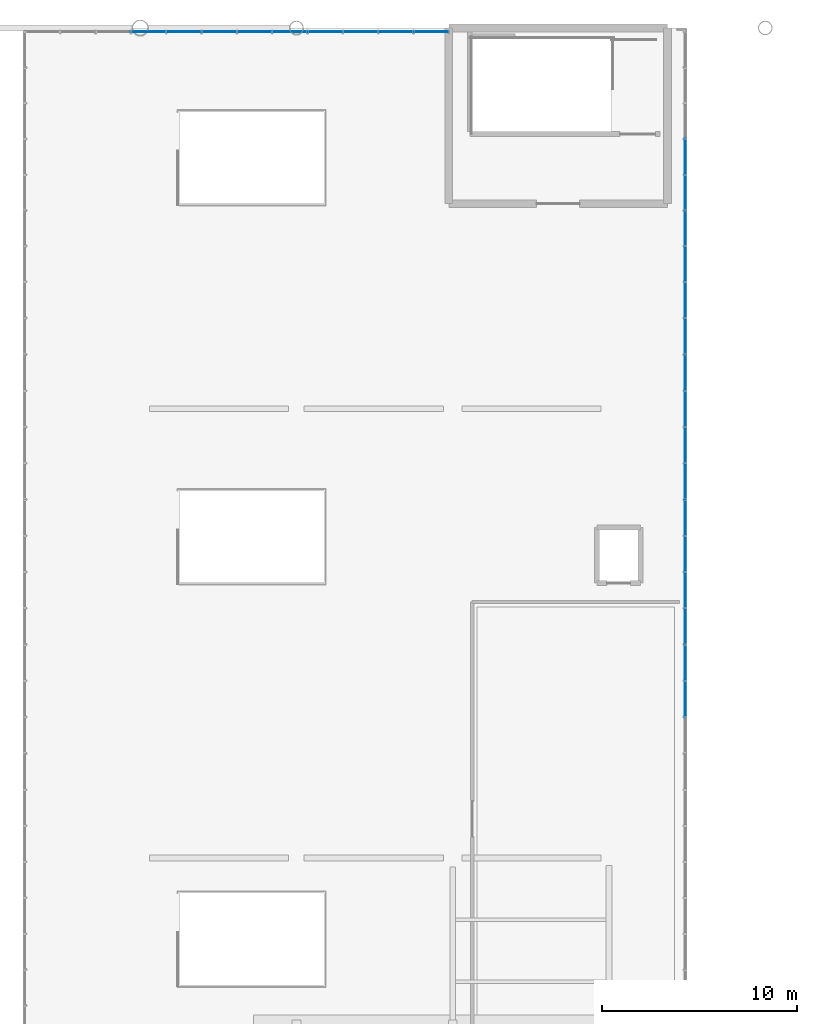
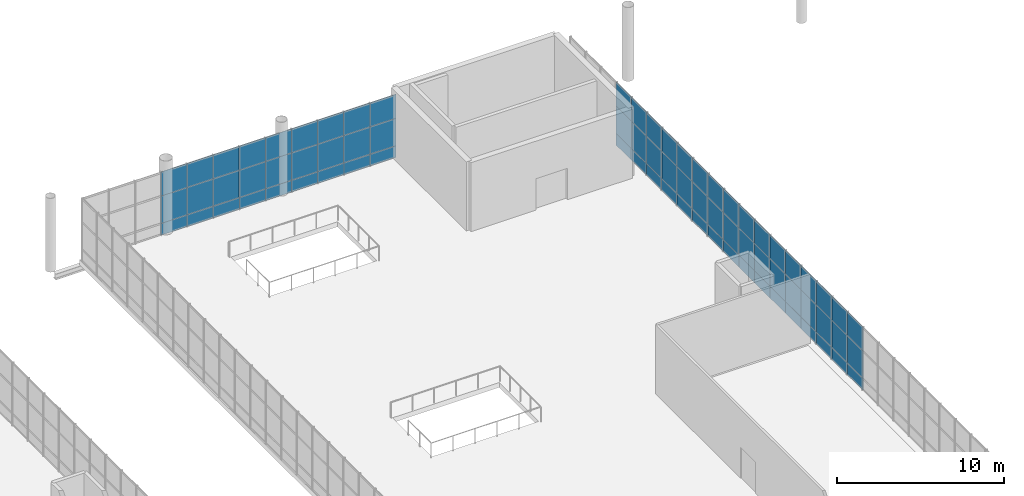
# One storey, part 135 of 176: 75 plates, 4 elements without a shape of their own.
"""IFC4 building model written with IfcOpenShell, lengths in metres."""

from ifc_helpers import new_model, si_unit, direction, frame, origin, origin_2d, place, context, subcontext, project, spatial, rectangle, extrude, material, layer, layer_set, type_object, element, aggregate, save


model = new_model("IFC4")

# Units and contexts
model_context = context("Model", 3, precision=1e-05, world=origin(), true_north=direction((0.0, 1.0)))
body_context = subcontext(model_context, "Body", "Model", "MODEL_VIEW")
ifc_project = project(units=[si_unit("LENGTHUNIT", "METRE"), si_unit("AREAUNIT", "SQUARE_METRE"), si_unit("VOLUMEUNIT", "CUBIC_METRE"), si_unit("PLANEANGLEUNIT", "RADIAN"), si_unit("MASSUNIT", "GRAM", prefix="KILO")], contexts=[model_context])

# Site, building, storey
site_placement = place(None, origin())
site = spatial("IfcSite", under=ifc_project, at=site_placement, CompositionType="ELEMENT")
building_placement = place(site_placement, origin())
building = spatial("IfcBuilding", under=site, at=building_placement, Name="Khorjan Park Terminus", CompositionType="ELEMENT")
storey_placement = place(building_placement, frame((0.0, 0.0, 6.0)))
storey = spatial("IfcBuildingStorey", under=building, at=storey_placement, Name="L01", CompositionType="ELEMENT", Elevation=6.0)

# Curtain wall, plates
ifc_material_1 = material(Name="Anodized Bronze Aluminium", Category="aluminium")
ifc_layer_1 = layer(ifc_material_1, 0.22)
ifc_layer_set_1 = layer_set([ifc_layer_1], Name="Anodized Bronze Aluminium")
curtain_wall_type = type_object("IfcCurtainWallType", Name="CW-BRG-D", PredefinedType="NOTDEFINED", material=ifc_layer_set_1)
curtain_wall_1_placement = place(storey_placement, origin())
curtain_wall_1 = element("IfcCurtainWall", 1, at=curtain_wall_1_placement, inside=storey, type_object=curtain_wall_type, Name="Unitized curtain wall CW-D (CW-BRE-E-2)", PredefinedType="NOTDEFINED")
ifc_material_2 = material(Name="Low-E Solar Control Double Glazing", Category="glass")
ifc_layer_2 = layer(ifc_material_2, 0.032)
ifc_layer_set_2 = layer_set([ifc_layer_2], Name="Low-E Solar Control Double Glazing")
plate_type_1 = type_object("IfcPlateType", Name="GL-VIS-32", PredefinedType="CURTAIN_PANEL", material=ifc_layer_set_2)
plate_1_placement = place(storey_placement, frame((131.9, 119.6428, 0.85), z_axis=(0.0, 0.0, 1.0), x_axis=(0.0, 1.0, 0.0)))
plate_1 = element("IfcPlate", 2, at=plate_1_placement, type_object=plate_type_1, Name="Curtain-wall panel VP-32 (CW-BRE-E-2-2-2)", PredefinedType="CURTAIN_PANEL", context=body_context, shape_type="SweptSolid", body=[
    extrude(rectangle(XDim=1.8571, YDim=0.032, at=origin_2d()), origin(), (0.0, 0.0, 1.0), 2.002),
])
plate_2_placement = place(storey_placement, frame((131.9, 119.6428, 2.852), z_axis=(0.0, 0.0, 1.0), x_axis=(0.0, 1.0, 0.0)))
plate_2 = element("IfcPlate", 3, at=plate_2_placement, type_object=plate_type_1, Name="Curtain-wall panel VP-32 (CW-BRE-E-2-2-3)", PredefinedType="CURTAIN_PANEL", context=body_context, shape_type="SweptSolid", body=[
    extrude(rectangle(XDim=1.8571, YDim=0.032, at=origin_2d()), origin(), (0.0, 0.0, 1.0), 1.758),
])
plate_3_placement = place(storey_placement, frame((131.9, 121.5, 0.85), z_axis=(0.0, 0.0, 1.0), x_axis=(0.0, 1.0, 0.0)))
plate_3 = element("IfcPlate", 4, at=plate_3_placement, type_object=plate_type_1, Name="Curtain-wall panel VP-32 (CW-BRE-E-2-3-2)", PredefinedType="CURTAIN_PANEL", context=body_context, shape_type="SweptSolid", body=[
    extrude(rectangle(XDim=1.8571, YDim=0.032, at=origin_2d()), origin(), (0.0, 0.0, 1.0), 2.002),
])
plate_4_placement = place(storey_placement, frame((131.9, 121.5, 2.852), z_axis=(0.0, 0.0, 1.0), x_axis=(0.0, 1.0, 0.0)))
plate_4 = element("IfcPlate", 5, at=plate_4_placement, type_object=plate_type_1, Name="Curtain-wall panel VP-32 (CW-BRE-E-2-3-3)", PredefinedType="CURTAIN_PANEL", context=body_context, shape_type="SweptSolid", body=[
    extrude(rectangle(XDim=1.8571, YDim=0.032, at=origin_2d()), origin(), (0.0, 0.0, 1.0), 1.758),
])
plate_5_placement = place(storey_placement, frame((131.9, 123.3572, 0.85), z_axis=(0.0, 0.0, 1.0), x_axis=(0.0, 1.0, 0.0)))
plate_5 = element("IfcPlate", 6, at=plate_5_placement, type_object=plate_type_1, Name="Curtain-wall panel VP-32 (CW-BRE-E-2-4-2)", PredefinedType="CURTAIN_PANEL", context=body_context, shape_type="SweptSolid", body=[
    extrude(rectangle(XDim=1.8571, YDim=0.032, at=origin_2d()), origin(), (0.0, 0.0, 1.0), 2.002),
])
plate_6_placement = place(storey_placement, frame((131.9, 123.3572, 2.852), z_axis=(0.0, 0.0, 1.0), x_axis=(0.0, 1.0, 0.0)))
plate_6 = element("IfcPlate", 7, at=plate_6_placement, type_object=plate_type_1, Name="Curtain-wall panel VP-32 (CW-BRE-E-2-4-3)", PredefinedType="CURTAIN_PANEL", context=body_context, shape_type="SweptSolid", body=[
    extrude(rectangle(XDim=1.8571, YDim=0.032, at=origin_2d()), origin(), (0.0, 0.0, 1.0), 1.758),
])
plate_7_placement = place(storey_placement, frame((131.9, 125.2143, 0.85), z_axis=(0.0, 0.0, 1.0), x_axis=(0.0, 1.0, 0.0)))
plate_7 = element("IfcPlate", 8, at=plate_7_placement, type_object=plate_type_1, Name="Curtain-wall panel VP-32 (CW-BRE-E-2-5-2)", PredefinedType="CURTAIN_PANEL", context=body_context, shape_type="SweptSolid", body=[
    extrude(rectangle(XDim=1.8571, YDim=0.032, at=origin_2d()), origin(), (0.0, 0.0, 1.0), 2.002),
])
plate_8_placement = place(storey_placement, frame((131.9, 125.2143, 2.852), z_axis=(0.0, 0.0, 1.0), x_axis=(0.0, 1.0, 0.0)))
plate_8 = element("IfcPlate", 9, at=plate_8_placement, type_object=plate_type_1, Name="Curtain-wall panel VP-32 (CW-BRE-E-2-5-3)", PredefinedType="CURTAIN_PANEL", context=body_context, shape_type="SweptSolid", body=[
    extrude(rectangle(XDim=1.8571, YDim=0.032, at=origin_2d()), origin(), (0.0, 0.0, 1.0), 1.758),
])
plate_9_placement = place(storey_placement, frame((131.9, 127.0714, 0.85), z_axis=(0.0, 0.0, 1.0), x_axis=(0.0, 1.0, 0.0)))
plate_9 = element("IfcPlate", 10, at=plate_9_placement, type_object=plate_type_1, Name="Curtain-wall panel VP-32 (CW-BRE-E-2-6-2)", PredefinedType="CURTAIN_PANEL", context=body_context, shape_type="SweptSolid", body=[
    extrude(rectangle(XDim=1.8571, YDim=0.032, at=origin_2d()), origin(), (0.0, 0.0, 1.0), 2.002),
])
plate_10_placement = place(storey_placement, frame((131.9, 127.0714, 2.852), z_axis=(0.0, 0.0, 1.0), x_axis=(0.0, 1.0, 0.0)))
plate_10 = element("IfcPlate", 11, at=plate_10_placement, type_object=plate_type_1, Name="Curtain-wall panel VP-32 (CW-BRE-E-2-6-3)", PredefinedType="CURTAIN_PANEL", context=body_context, shape_type="SweptSolid", body=[
    extrude(rectangle(XDim=1.8571, YDim=0.032, at=origin_2d()), origin(), (0.0, 0.0, 1.0), 1.758),
])

curtain_wall_2_placement = place(storey_placement, origin())
curtain_wall_2 = element("IfcCurtainWall", 12, at=curtain_wall_2_placement, inside=storey, type_object=curtain_wall_type, Name="Unitized curtain wall CW-D (CW-BRE-E-3)", PredefinedType="NOTDEFINED")
plate_11_placement = place(storey_placement, frame((131.9, 128.9286, 0.85), z_axis=(0.0, 0.0, 1.0), x_axis=(0.0, 1.0, 0.0)))
plate_11 = element("IfcPlate", 13, at=plate_11_placement, type_object=plate_type_1, Name="Curtain-wall panel VP-32 (CW-BRE-E-3-0-2)", PredefinedType="CURTAIN_PANEL", context=body_context, shape_type="SweptSolid", body=[
    extrude(rectangle(XDim=1.8571, YDim=0.032, at=origin_2d()), origin(), (0.0, 0.0, 1.0), 2.002),
])
plate_12_placement = place(storey_placement, frame((131.9, 128.9286, 2.852), z_axis=(0.0, 0.0, 1.0), x_axis=(0.0, 1.0, 0.0)))
plate_12 = element("IfcPlate", 14, at=plate_12_placement, type_object=plate_type_1, Name="Curtain-wall panel VP-32 (CW-BRE-E-3-0-3)", PredefinedType="CURTAIN_PANEL", context=body_context, shape_type="SweptSolid", body=[
    extrude(rectangle(XDim=1.8571, YDim=0.032, at=origin_2d()), origin(), (0.0, 0.0, 1.0), 1.758),
])
plate_13_placement = place(storey_placement, frame((131.9, 130.7857, 0.85), z_axis=(0.0, 0.0, 1.0), x_axis=(0.0, 1.0, 0.0)))
plate_13 = element("IfcPlate", 15, at=plate_13_placement, type_object=plate_type_1, Name="Curtain-wall panel VP-32 (CW-BRE-E-3-1-2)", PredefinedType="CURTAIN_PANEL", context=body_context, shape_type="SweptSolid", body=[
    extrude(rectangle(XDim=1.8571, YDim=0.032, at=origin_2d()), origin(), (0.0, 0.0, 1.0), 2.002),
])
plate_14_placement = place(storey_placement, frame((131.9, 130.7857, 2.852), z_axis=(0.0, 0.0, 1.0), x_axis=(0.0, 1.0, 0.0)))
plate_14 = element("IfcPlate", 16, at=plate_14_placement, type_object=plate_type_1, Name="Curtain-wall panel VP-32 (CW-BRE-E-3-1-3)", PredefinedType="CURTAIN_PANEL", context=body_context, shape_type="SweptSolid", body=[
    extrude(rectangle(XDim=1.8571, YDim=0.032, at=origin_2d()), origin(), (0.0, 0.0, 1.0), 1.758),
])
plate_15_placement = place(storey_placement, frame((131.9, 132.6429, 0.85), z_axis=(0.0, 0.0, 1.0), x_axis=(0.0, 1.0, 0.0)))
plate_15 = element("IfcPlate", 17, at=plate_15_placement, type_object=plate_type_1, Name="Curtain-wall panel VP-32 (CW-BRE-E-3-2-2)", PredefinedType="CURTAIN_PANEL", context=body_context, shape_type="SweptSolid", body=[
    extrude(rectangle(XDim=1.8571, YDim=0.032, at=origin_2d()), origin(), (0.0, 0.0, 1.0), 2.002),
])
plate_16_placement = place(storey_placement, frame((131.9, 132.6429, 2.852), z_axis=(0.0, 0.0, 1.0), x_axis=(0.0, 1.0, 0.0)))
plate_16 = element("IfcPlate", 18, at=plate_16_placement, type_object=plate_type_1, Name="Curtain-wall panel VP-32 (CW-BRE-E-3-2-3)", PredefinedType="CURTAIN_PANEL", context=body_context, shape_type="SweptSolid", body=[
    extrude(rectangle(XDim=1.8571, YDim=0.032, at=origin_2d()), origin(), (0.0, 0.0, 1.0), 1.758),
])
plate_17_placement = place(storey_placement, frame((131.9, 134.5, 0.85), z_axis=(0.0, 0.0, 1.0), x_axis=(0.0, 1.0, 0.0)))
plate_17 = element("IfcPlate", 19, at=plate_17_placement, type_object=plate_type_1, Name="Curtain-wall panel VP-32 (CW-BRE-E-3-3-2)", PredefinedType="CURTAIN_PANEL", context=body_context, shape_type="SweptSolid", body=[
    extrude(rectangle(XDim=1.8571, YDim=0.032, at=origin_2d()), origin(), (0.0, 0.0, 1.0), 2.002),
])
plate_18_placement = place(storey_placement, frame((131.9, 134.5, 2.852), z_axis=(0.0, 0.0, 1.0), x_axis=(0.0, 1.0, 0.0)))
plate_18 = element("IfcPlate", 20, at=plate_18_placement, type_object=plate_type_1, Name="Curtain-wall panel VP-32 (CW-BRE-E-3-3-3)", PredefinedType="CURTAIN_PANEL", context=body_context, shape_type="SweptSolid", body=[
    extrude(rectangle(XDim=1.8571, YDim=0.032, at=origin_2d()), origin(), (0.0, 0.0, 1.0), 1.758),
])
plate_19_placement = place(storey_placement, frame((131.9, 136.3571, 0.85), z_axis=(0.0, 0.0, 1.0), x_axis=(0.0, 1.0, 0.0)))
plate_19 = element("IfcPlate", 21, at=plate_19_placement, type_object=plate_type_1, Name="Curtain-wall panel VP-32 (CW-BRE-E-3-4-2)", PredefinedType="CURTAIN_PANEL", context=body_context, shape_type="SweptSolid", body=[
    extrude(rectangle(XDim=1.8571, YDim=0.032, at=origin_2d()), origin(), (0.0, 0.0, 1.0), 2.002),
])
plate_20_placement = place(storey_placement, frame((131.9, 136.3571, 2.852), z_axis=(0.0, 0.0, 1.0), x_axis=(0.0, 1.0, 0.0)))
plate_20 = element("IfcPlate", 22, at=plate_20_placement, type_object=plate_type_1, Name="Curtain-wall panel VP-32 (CW-BRE-E-3-4-3)", PredefinedType="CURTAIN_PANEL", context=body_context, shape_type="SweptSolid", body=[
    extrude(rectangle(XDim=1.8571, YDim=0.032, at=origin_2d()), origin(), (0.0, 0.0, 1.0), 1.758),
])
plate_21_placement = place(storey_placement, frame((131.9, 138.2143, 0.85), z_axis=(0.0, 0.0, 1.0), x_axis=(0.0, 1.0, 0.0)))
plate_21 = element("IfcPlate", 23, at=plate_21_placement, type_object=plate_type_1, Name="Curtain-wall panel VP-32 (CW-BRE-E-3-5-2)", PredefinedType="CURTAIN_PANEL", context=body_context, shape_type="SweptSolid", body=[
    extrude(rectangle(XDim=1.8571, YDim=0.032, at=origin_2d()), origin(), (0.0, 0.0, 1.0), 2.002),
])
plate_22_placement = place(storey_placement, frame((131.9, 138.2143, 2.852), z_axis=(0.0, 0.0, 1.0), x_axis=(0.0, 1.0, 0.0)))
plate_22 = element("IfcPlate", 24, at=plate_22_placement, type_object=plate_type_1, Name="Curtain-wall panel VP-32 (CW-BRE-E-3-5-3)", PredefinedType="CURTAIN_PANEL", context=body_context, shape_type="SweptSolid", body=[
    extrude(rectangle(XDim=1.8571, YDim=0.032, at=origin_2d()), origin(), (0.0, 0.0, 1.0), 1.758),
])
plate_23_placement = place(storey_placement, frame((131.9, 140.0714, 0.85), z_axis=(0.0, 0.0, 1.0), x_axis=(0.0, 1.0, 0.0)))
plate_23 = element("IfcPlate", 25, at=plate_23_placement, type_object=plate_type_1, Name="Curtain-wall panel VP-32 (CW-BRE-E-3-6-2)", PredefinedType="CURTAIN_PANEL", context=body_context, shape_type="SweptSolid", body=[
    extrude(rectangle(XDim=1.8571, YDim=0.032, at=origin_2d()), origin(), (0.0, 0.0, 1.0), 2.002),
])
plate_24_placement = place(storey_placement, frame((131.9, 140.0714, 2.852), z_axis=(0.0, 0.0, 1.0), x_axis=(0.0, 1.0, 0.0)))
plate_24 = element("IfcPlate", 26, at=plate_24_placement, type_object=plate_type_1, Name="Curtain-wall panel VP-32 (CW-BRE-E-3-6-3)", PredefinedType="CURTAIN_PANEL", context=body_context, shape_type="SweptSolid", body=[
    extrude(rectangle(XDim=1.8571, YDim=0.032, at=origin_2d()), origin(), (0.0, 0.0, 1.0), 1.758),
])

curtain_wall_3_placement = place(storey_placement, origin())
curtain_wall_3 = element("IfcCurtainWall", 27, at=curtain_wall_3_placement, inside=storey, type_object=curtain_wall_type, Name="Unitized curtain wall CW-D (CW-BRE-E-4)", PredefinedType="NOTDEFINED")
plate_25_placement = place(storey_placement, frame((131.9, 141.9143, 0.85), z_axis=(0.0, 0.0, 1.0), x_axis=(0.0, 1.0, 0.0)))
plate_25 = element("IfcPlate", 28, at=plate_25_placement, type_object=plate_type_1, Name="Curtain-wall panel VP-32 (CW-BRE-E-4-0-2)", PredefinedType="CURTAIN_PANEL", context=body_context, shape_type="SweptSolid", body=[
    extrude(rectangle(XDim=1.8286, YDim=0.032, at=origin_2d()), origin(), (0.0, 0.0, 1.0), 2.002),
])
plate_26_placement = place(storey_placement, frame((131.9, 141.9143, 2.852), z_axis=(0.0, 0.0, 1.0), x_axis=(0.0, 1.0, 0.0)))
plate_26 = element("IfcPlate", 29, at=plate_26_placement, type_object=plate_type_1, Name="Curtain-wall panel VP-32 (CW-BRE-E-4-0-3)", PredefinedType="CURTAIN_PANEL", context=body_context, shape_type="SweptSolid", body=[
    extrude(rectangle(XDim=1.8286, YDim=0.032, at=origin_2d()), origin(), (0.0, 0.0, 1.0), 1.758),
])
plate_27_placement = place(storey_placement, frame((131.9, 143.7429, 0.85), z_axis=(0.0, 0.0, 1.0), x_axis=(0.0, 1.0, 0.0)))
plate_27 = element("IfcPlate", 30, at=plate_27_placement, type_object=plate_type_1, Name="Curtain-wall panel VP-32 (CW-BRE-E-4-1-2)", PredefinedType="CURTAIN_PANEL", context=body_context, shape_type="SweptSolid", body=[
    extrude(rectangle(XDim=1.8286, YDim=0.032, at=origin_2d()), origin(), (0.0, 0.0, 1.0), 2.002),
])
plate_28_placement = place(storey_placement, frame((131.9, 143.7429, 2.852), z_axis=(0.0, 0.0, 1.0), x_axis=(0.0, 1.0, 0.0)))
plate_28 = element("IfcPlate", 31, at=plate_28_placement, type_object=plate_type_1, Name="Curtain-wall panel VP-32 (CW-BRE-E-4-1-3)", PredefinedType="CURTAIN_PANEL", context=body_context, shape_type="SweptSolid", body=[
    extrude(rectangle(XDim=1.8286, YDim=0.032, at=origin_2d()), origin(), (0.0, 0.0, 1.0), 1.758),
])
plate_29_placement = place(storey_placement, frame((131.9, 145.5714, 0.85), z_axis=(0.0, 0.0, 1.0), x_axis=(0.0, 1.0, 0.0)))
plate_29 = element("IfcPlate", 32, at=plate_29_placement, type_object=plate_type_1, Name="Curtain-wall panel VP-32 (CW-BRE-E-4-2-2)", PredefinedType="CURTAIN_PANEL", context=body_context, shape_type="SweptSolid", body=[
    extrude(rectangle(XDim=1.8286, YDim=0.032, at=origin_2d()), origin(), (0.0, 0.0, 1.0), 2.002),
])
plate_30_placement = place(storey_placement, frame((131.9, 145.5714, 2.852), z_axis=(0.0, 0.0, 1.0), x_axis=(0.0, 1.0, 0.0)))
plate_30 = element("IfcPlate", 33, at=plate_30_placement, type_object=plate_type_1, Name="Curtain-wall panel VP-32 (CW-BRE-E-4-2-3)", PredefinedType="CURTAIN_PANEL", context=body_context, shape_type="SweptSolid", body=[
    extrude(rectangle(XDim=1.8286, YDim=0.032, at=origin_2d()), origin(), (0.0, 0.0, 1.0), 1.758),
])
plate_31_placement = place(storey_placement, frame((131.9, 147.4, 0.85), z_axis=(0.0, 0.0, 1.0), x_axis=(0.0, 1.0, 0.0)))
plate_31 = element("IfcPlate", 34, at=plate_31_placement, type_object=plate_type_1, Name="Curtain-wall panel VP-32 (CW-BRE-E-4-3-2)", PredefinedType="CURTAIN_PANEL", context=body_context, shape_type="SweptSolid", body=[
    extrude(rectangle(XDim=1.8286, YDim=0.032, at=origin_2d()), origin(), (0.0, 0.0, 1.0), 2.002),
])
plate_32_placement = place(storey_placement, frame((131.9, 147.4, 2.852), z_axis=(0.0, 0.0, 1.0), x_axis=(0.0, 1.0, 0.0)))
plate_32 = element("IfcPlate", 35, at=plate_32_placement, type_object=plate_type_1, Name="Curtain-wall panel VP-32 (CW-BRE-E-4-3-3)", PredefinedType="CURTAIN_PANEL", context=body_context, shape_type="SweptSolid", body=[
    extrude(rectangle(XDim=1.8286, YDim=0.032, at=origin_2d()), origin(), (0.0, 0.0, 1.0), 1.758),
])

curtain_wall_4_placement = place(storey_placement, origin())
curtain_wall_4 = element("IfcCurtainWall", 36, at=curtain_wall_4_placement, inside=storey, type_object=curtain_wall_type, Name="Unitized curtain wall CW-D (CW-BRE-N)", PredefinedType="NOTDEFINED")
plate_33_placement = place(storey_placement, frame((118.8958, 153.8, 0.85), z_axis=(0.0, 0.0, 1.0), x_axis=(-1.0, 0.0, 0.0)))
plate_33 = element("IfcPlate", 37, at=plate_33_placement, type_object=plate_type_1, Name="Curtain-wall panel VP-32 (CW-BRE-N-0-2)", PredefinedType="CURTAIN_PANEL", context=body_context, shape_type="SweptSolid", body=[
    extrude(rectangle(XDim=1.8083, YDim=0.032, at=origin_2d()), origin(), (0.0, 0.0, 1.0), 2.002),
])
plate_34_placement = place(storey_placement, frame((118.8958, 153.8, 2.852), z_axis=(0.0, 0.0, 1.0), x_axis=(-1.0, 0.0, 0.0)))
plate_34 = element("IfcPlate", 38, at=plate_34_placement, type_object=plate_type_1, Name="Curtain-wall panel VP-32 (CW-BRE-N-0-3)", PredefinedType="CURTAIN_PANEL", context=body_context, shape_type="SweptSolid", body=[
    extrude(rectangle(XDim=1.8083, YDim=0.032, at=origin_2d()), origin(), (0.0, 0.0, 1.0), 1.758),
])
plate_35_placement = place(storey_placement, frame((117.0875, 153.8, 0.85), z_axis=(0.0, 0.0, 1.0), x_axis=(-1.0, 0.0, 0.0)))
plate_35 = element("IfcPlate", 39, at=plate_35_placement, type_object=plate_type_1, Name="Curtain-wall panel VP-32 (CW-BRE-N-1-2)", PredefinedType="CURTAIN_PANEL", context=body_context, shape_type="SweptSolid", body=[
    extrude(rectangle(XDim=1.8083, YDim=0.032, at=origin_2d()), origin(), (0.0, 0.0, 1.0), 2.002),
])
plate_36_placement = place(storey_placement, frame((117.0875, 153.8, 2.852), z_axis=(0.0, 0.0, 1.0), x_axis=(-1.0, 0.0, 0.0)))
plate_36 = element("IfcPlate", 40, at=plate_36_placement, type_object=plate_type_1, Name="Curtain-wall panel VP-32 (CW-BRE-N-1-3)", PredefinedType="CURTAIN_PANEL", context=body_context, shape_type="SweptSolid", body=[
    extrude(rectangle(XDim=1.8083, YDim=0.032, at=origin_2d()), origin(), (0.0, 0.0, 1.0), 1.758),
])
plate_37_placement = place(storey_placement, frame((115.2792, 153.8, 0.85), z_axis=(0.0, 0.0, 1.0), x_axis=(-1.0, 0.0, 0.0)))
plate_37 = element("IfcPlate", 41, at=plate_37_placement, type_object=plate_type_1, Name="Curtain-wall panel VP-32 (CW-BRE-N-2-2)", PredefinedType="CURTAIN_PANEL", context=body_context, shape_type="SweptSolid", body=[
    extrude(rectangle(XDim=1.8083, YDim=0.032, at=origin_2d()), origin(), (0.0, 0.0, 1.0), 2.002),
])
plate_38_placement = place(storey_placement, frame((115.2792, 153.8, 2.852), z_axis=(0.0, 0.0, 1.0), x_axis=(-1.0, 0.0, 0.0)))
plate_38 = element("IfcPlate", 42, at=plate_38_placement, type_object=plate_type_1, Name="Curtain-wall panel VP-32 (CW-BRE-N-2-3)", PredefinedType="CURTAIN_PANEL", context=body_context, shape_type="SweptSolid", body=[
    extrude(rectangle(XDim=1.8083, YDim=0.032, at=origin_2d()), origin(), (0.0, 0.0, 1.0), 1.758),
])
plate_39_placement = place(storey_placement, frame((113.4708, 153.8, 0.85), z_axis=(0.0, 0.0, 1.0), x_axis=(-1.0, 0.0, 0.0)))
plate_39 = element("IfcPlate", 43, at=plate_39_placement, type_object=plate_type_1, Name="Curtain-wall panel VP-32 (CW-BRE-N-3-2)", PredefinedType="CURTAIN_PANEL", context=body_context, shape_type="SweptSolid", body=[
    extrude(rectangle(XDim=1.8083, YDim=0.032, at=origin_2d()), origin(), (0.0, 0.0, 1.0), 2.002),
])
plate_40_placement = place(storey_placement, frame((113.4708, 153.8, 2.852), z_axis=(0.0, 0.0, 1.0), x_axis=(-1.0, 0.0, 0.0)))
plate_40 = element("IfcPlate", 44, at=plate_40_placement, type_object=plate_type_1, Name="Curtain-wall panel VP-32 (CW-BRE-N-3-3)", PredefinedType="CURTAIN_PANEL", context=body_context, shape_type="SweptSolid", body=[
    extrude(rectangle(XDim=1.8083, YDim=0.032, at=origin_2d()), origin(), (0.0, 0.0, 1.0), 1.758),
])
plate_41_placement = place(storey_placement, frame((111.6625, 153.8, 0.85), z_axis=(0.0, 0.0, 1.0), x_axis=(-1.0, 0.0, 0.0)))
plate_41 = element("IfcPlate", 45, at=plate_41_placement, type_object=plate_type_1, Name="Curtain-wall panel VP-32 (CW-BRE-N-4-2)", PredefinedType="CURTAIN_PANEL", context=body_context, shape_type="SweptSolid", body=[
    extrude(rectangle(XDim=1.8083, YDim=0.032, at=origin_2d()), origin(), (0.0, 0.0, 1.0), 2.002),
])
plate_42_placement = place(storey_placement, frame((111.6625, 153.8, 2.852), z_axis=(0.0, 0.0, 1.0), x_axis=(-1.0, 0.0, 0.0)))
plate_42 = element("IfcPlate", 46, at=plate_42_placement, type_object=plate_type_1, Name="Curtain-wall panel VP-32 (CW-BRE-N-4-3)", PredefinedType="CURTAIN_PANEL", context=body_context, shape_type="SweptSolid", body=[
    extrude(rectangle(XDim=1.8083, YDim=0.032, at=origin_2d()), origin(), (0.0, 0.0, 1.0), 1.758),
])
plate_43_placement = place(storey_placement, frame((109.8542, 153.8, 0.85), z_axis=(0.0, 0.0, 1.0), x_axis=(-1.0, 0.0, 0.0)))
plate_43 = element("IfcPlate", 47, at=plate_43_placement, type_object=plate_type_1, Name="Curtain-wall panel VP-32 (CW-BRE-N-5-2)", PredefinedType="CURTAIN_PANEL", context=body_context, shape_type="SweptSolid", body=[
    extrude(rectangle(XDim=1.8083, YDim=0.032, at=origin_2d()), origin(), (0.0, 0.0, 1.0), 2.002),
])
plate_44_placement = place(storey_placement, frame((109.8542, 153.8, 2.852), z_axis=(0.0, 0.0, 1.0), x_axis=(-1.0, 0.0, 0.0)))
plate_44 = element("IfcPlate", 48, at=plate_44_placement, type_object=plate_type_1, Name="Curtain-wall panel VP-32 (CW-BRE-N-5-3)", PredefinedType="CURTAIN_PANEL", context=body_context, shape_type="SweptSolid", body=[
    extrude(rectangle(XDim=1.8083, YDim=0.032, at=origin_2d()), origin(), (0.0, 0.0, 1.0), 1.758),
])
plate_45_placement = place(storey_placement, frame((108.0459, 153.8, 0.85), z_axis=(0.0, 0.0, 1.0), x_axis=(-1.0, 0.0, 0.0)))
plate_45 = element("IfcPlate", 49, at=plate_45_placement, type_object=plate_type_1, Name="Curtain-wall panel VP-32 (CW-BRE-N-6-2)", PredefinedType="CURTAIN_PANEL", context=body_context, shape_type="SweptSolid", body=[
    extrude(rectangle(XDim=1.8083, YDim=0.032, at=origin_2d()), origin(), (0.0, 0.0, 1.0), 2.002),
])
plate_46_placement = place(storey_placement, frame((108.0459, 153.8, 2.852), z_axis=(0.0, 0.0, 1.0), x_axis=(-1.0, 0.0, 0.0)))
plate_46 = element("IfcPlate", 50, at=plate_46_placement, type_object=plate_type_1, Name="Curtain-wall panel VP-32 (CW-BRE-N-6-3)", PredefinedType="CURTAIN_PANEL", context=body_context, shape_type="SweptSolid", body=[
    extrude(rectangle(XDim=1.8083, YDim=0.032, at=origin_2d()), origin(), (0.0, 0.0, 1.0), 1.758),
])
plate_47_placement = place(storey_placement, frame((106.2375, 153.8, 0.85), z_axis=(0.0, 0.0, 1.0), x_axis=(-1.0, 0.0, 0.0)))
plate_47 = element("IfcPlate", 51, at=plate_47_placement, type_object=plate_type_1, Name="Curtain-wall panel VP-32 (CW-BRE-N-7-2)", PredefinedType="CURTAIN_PANEL", context=body_context, shape_type="SweptSolid", body=[
    extrude(rectangle(XDim=1.8083, YDim=0.032, at=origin_2d()), origin(), (0.0, 0.0, 1.0), 2.002),
])
plate_48_placement = place(storey_placement, frame((106.2375, 153.8, 2.852), z_axis=(0.0, 0.0, 1.0), x_axis=(-1.0, 0.0, 0.0)))
plate_48 = element("IfcPlate", 52, at=plate_48_placement, type_object=plate_type_1, Name="Curtain-wall panel VP-32 (CW-BRE-N-7-3)", PredefinedType="CURTAIN_PANEL", context=body_context, shape_type="SweptSolid", body=[
    extrude(rectangle(XDim=1.8083, YDim=0.032, at=origin_2d()), origin(), (0.0, 0.0, 1.0), 1.758),
])
plate_49_placement = place(storey_placement, frame((104.4291, 153.8, 0.85), z_axis=(0.0, 0.0, 1.0), x_axis=(-1.0, 0.0, 0.0)))
plate_49 = element("IfcPlate", 53, at=plate_49_placement, type_object=plate_type_1, Name="Curtain-wall panel VP-32 (CW-BRE-N-8-2)", PredefinedType="CURTAIN_PANEL", context=body_context, shape_type="SweptSolid", body=[
    extrude(rectangle(XDim=1.8083, YDim=0.032, at=origin_2d()), origin(), (0.0, 0.0, 1.0), 2.002),
])
plate_50_placement = place(storey_placement, frame((104.4291, 153.8, 2.852), z_axis=(0.0, 0.0, 1.0), x_axis=(-1.0, 0.0, 0.0)))
plate_50 = element("IfcPlate", 54, at=plate_50_placement, type_object=plate_type_1, Name="Curtain-wall panel VP-32 (CW-BRE-N-8-3)", PredefinedType="CURTAIN_PANEL", context=body_context, shape_type="SweptSolid", body=[
    extrude(rectangle(XDim=1.8083, YDim=0.032, at=origin_2d()), origin(), (0.0, 0.0, 1.0), 1.758),
])

# Plate
ifc_material_3 = material(Name="Insulated Anodized Bronze Spandrel Panel")
ifc_layer_3 = layer(ifc_material_3, 0.045)
ifc_layer_set_3 = layer_set([ifc_layer_3], Name="Insulated Anodized Bronze Spandrel Panel")
plate_type_2 = type_object("IfcPlateType", Name="SP-AL-45", PredefinedType="CURTAIN_PANEL", material=ifc_layer_set_3)
plate_51_placement = place(storey_placement, frame((131.9, 119.6428, -0.01), z_axis=(0.0, 0.0, 1.0), x_axis=(0.0, 1.0, 0.0)))
plate_51 = element("IfcPlate", 55, at=plate_51_placement, type_object=plate_type_2, Name="Curtain-wall panel SP-A45 (CW-BRE-E-2-2-1)", PredefinedType="CURTAIN_PANEL", context=body_context, shape_type="SweptSolid", body=[
    extrude(rectangle(XDim=1.8571, YDim=0.045, at=origin_2d()), origin(), (0.0, 0.0, 1.0), 0.86),
])

plate_52_placement = place(storey_placement, frame((131.9, 121.5, -0.01), z_axis=(0.0, 0.0, 1.0), x_axis=(0.0, 1.0, 0.0)))
plate_52 = element("IfcPlate", 56, at=plate_52_placement, type_object=plate_type_2, Name="Curtain-wall panel SP-A45 (CW-BRE-E-2-3-1)", PredefinedType="CURTAIN_PANEL", context=body_context, shape_type="SweptSolid", body=[
    extrude(rectangle(XDim=1.8571, YDim=0.045, at=origin_2d()), origin(), (0.0, 0.0, 1.0), 0.86),
])

plate_53_placement = place(storey_placement, frame((131.9, 123.3572, -0.01), z_axis=(0.0, 0.0, 1.0), x_axis=(0.0, 1.0, 0.0)))
plate_53 = element("IfcPlate", 57, at=plate_53_placement, type_object=plate_type_2, Name="Curtain-wall panel SP-A45 (CW-BRE-E-2-4-1)", PredefinedType="CURTAIN_PANEL", context=body_context, shape_type="SweptSolid", body=[
    extrude(rectangle(XDim=1.8571, YDim=0.045, at=origin_2d()), origin(), (0.0, 0.0, 1.0), 0.86),
])

plate_54_placement = place(storey_placement, frame((131.9, 125.2143, -0.01), z_axis=(0.0, 0.0, 1.0), x_axis=(0.0, 1.0, 0.0)))
plate_54 = element("IfcPlate", 58, at=plate_54_placement, type_object=plate_type_2, Name="Curtain-wall panel SP-A45 (CW-BRE-E-2-5-1)", PredefinedType="CURTAIN_PANEL", context=body_context, shape_type="SweptSolid", body=[
    extrude(rectangle(XDim=1.8571, YDim=0.045, at=origin_2d()), origin(), (0.0, 0.0, 1.0), 0.86),
])

plate_55_placement = place(storey_placement, frame((131.9, 127.0714, -0.01), z_axis=(0.0, 0.0, 1.0), x_axis=(0.0, 1.0, 0.0)))
plate_55 = element("IfcPlate", 59, at=plate_55_placement, type_object=plate_type_2, Name="Curtain-wall panel SP-A45 (CW-BRE-E-2-6-1)", PredefinedType="CURTAIN_PANEL", context=body_context, shape_type="SweptSolid", body=[
    extrude(rectangle(XDim=1.8571, YDim=0.045, at=origin_2d()), origin(), (0.0, 0.0, 1.0), 0.86),
])

aggregate(curtain_wall_1, [plate_51, plate_1, plate_2, plate_52, plate_3, plate_4, plate_53, plate_5, plate_6, plate_54, plate_7, plate_8, plate_55, plate_9, plate_10])

plate_56_placement = place(storey_placement, frame((131.9, 128.9286, -0.01), z_axis=(0.0, 0.0, 1.0), x_axis=(0.0, 1.0, 0.0)))
plate_56 = element("IfcPlate", 60, at=plate_56_placement, type_object=plate_type_2, Name="Curtain-wall panel SP-A45 (CW-BRE-E-3-0-1)", PredefinedType="CURTAIN_PANEL", context=body_context, shape_type="SweptSolid", body=[
    extrude(rectangle(XDim=1.8571, YDim=0.045, at=origin_2d()), origin(), (0.0, 0.0, 1.0), 0.86),
])

plate_57_placement = place(storey_placement, frame((131.9, 130.7857, -0.01), z_axis=(0.0, 0.0, 1.0), x_axis=(0.0, 1.0, 0.0)))
plate_57 = element("IfcPlate", 61, at=plate_57_placement, type_object=plate_type_2, Name="Curtain-wall panel SP-A45 (CW-BRE-E-3-1-1)", PredefinedType="CURTAIN_PANEL", context=body_context, shape_type="SweptSolid", body=[
    extrude(rectangle(XDim=1.8571, YDim=0.045, at=origin_2d()), origin(), (0.0, 0.0, 1.0), 0.86),
])

plate_58_placement = place(storey_placement, frame((131.9, 132.6429, -0.01), z_axis=(0.0, 0.0, 1.0), x_axis=(0.0, 1.0, 0.0)))
plate_58 = element("IfcPlate", 62, at=plate_58_placement, type_object=plate_type_2, Name="Curtain-wall panel SP-A45 (CW-BRE-E-3-2-1)", PredefinedType="CURTAIN_PANEL", context=body_context, shape_type="SweptSolid", body=[
    extrude(rectangle(XDim=1.8571, YDim=0.045, at=origin_2d()), origin(), (0.0, 0.0, 1.0), 0.86),
])

plate_59_placement = place(storey_placement, frame((131.9, 134.5, -0.01), z_axis=(0.0, 0.0, 1.0), x_axis=(0.0, 1.0, 0.0)))
plate_59 = element("IfcPlate", 63, at=plate_59_placement, type_object=plate_type_2, Name="Curtain-wall panel SP-A45 (CW-BRE-E-3-3-1)", PredefinedType="CURTAIN_PANEL", context=body_context, shape_type="SweptSolid", body=[
    extrude(rectangle(XDim=1.8571, YDim=0.045, at=origin_2d()), origin(), (0.0, 0.0, 1.0), 0.86),
])

plate_60_placement = place(storey_placement, frame((131.9, 136.3571, -0.01), z_axis=(0.0, 0.0, 1.0), x_axis=(0.0, 1.0, 0.0)))
plate_60 = element("IfcPlate", 64, at=plate_60_placement, type_object=plate_type_2, Name="Curtain-wall panel SP-A45 (CW-BRE-E-3-4-1)", PredefinedType="CURTAIN_PANEL", context=body_context, shape_type="SweptSolid", body=[
    extrude(rectangle(XDim=1.8571, YDim=0.045, at=origin_2d()), origin(), (0.0, 0.0, 1.0), 0.86),
])

plate_61_placement = place(storey_placement, frame((131.9, 138.2143, -0.01), z_axis=(0.0, 0.0, 1.0), x_axis=(0.0, 1.0, 0.0)))
plate_61 = element("IfcPlate", 65, at=plate_61_placement, type_object=plate_type_2, Name="Curtain-wall panel SP-A45 (CW-BRE-E-3-5-1)", PredefinedType="CURTAIN_PANEL", context=body_context, shape_type="SweptSolid", body=[
    extrude(rectangle(XDim=1.8571, YDim=0.045, at=origin_2d()), origin(), (0.0, 0.0, 1.0), 0.86),
])

plate_62_placement = place(storey_placement, frame((131.9, 140.0714, -0.01), z_axis=(0.0, 0.0, 1.0), x_axis=(0.0, 1.0, 0.0)))
plate_62 = element("IfcPlate", 66, at=plate_62_placement, type_object=plate_type_2, Name="Curtain-wall panel SP-A45 (CW-BRE-E-3-6-1)", PredefinedType="CURTAIN_PANEL", context=body_context, shape_type="SweptSolid", body=[
    extrude(rectangle(XDim=1.8571, YDim=0.045, at=origin_2d()), origin(), (0.0, 0.0, 1.0), 0.86),
])

aggregate(curtain_wall_2, [plate_56, plate_11, plate_12, plate_57, plate_13, plate_14, plate_58, plate_15, plate_16, plate_59, plate_17, plate_18, plate_60, plate_19, plate_20, plate_61, plate_21, plate_22, plate_62, plate_23, plate_24])

plate_63_placement = place(storey_placement, frame((131.9, 141.9143, -0.01), z_axis=(0.0, 0.0, 1.0), x_axis=(0.0, 1.0, 0.0)))
plate_63 = element("IfcPlate", 67, at=plate_63_placement, type_object=plate_type_2, Name="Curtain-wall panel SP-A45 (CW-BRE-E-4-0-1)", PredefinedType="CURTAIN_PANEL", context=body_context, shape_type="SweptSolid", body=[
    extrude(rectangle(XDim=1.8286, YDim=0.045, at=origin_2d()), origin(), (0.0, 0.0, 1.0), 0.86),
])

plate_64_placement = place(storey_placement, frame((131.9, 143.7429, -0.01), z_axis=(0.0, 0.0, 1.0), x_axis=(0.0, 1.0, 0.0)))
plate_64 = element("IfcPlate", 68, at=plate_64_placement, type_object=plate_type_2, Name="Curtain-wall panel SP-A45 (CW-BRE-E-4-1-1)", PredefinedType="CURTAIN_PANEL", context=body_context, shape_type="SweptSolid", body=[
    extrude(rectangle(XDim=1.8286, YDim=0.045, at=origin_2d()), origin(), (0.0, 0.0, 1.0), 0.86),
])

plate_65_placement = place(storey_placement, frame((131.9, 145.5714, -0.01), z_axis=(0.0, 0.0, 1.0), x_axis=(0.0, 1.0, 0.0)))
plate_65 = element("IfcPlate", 69, at=plate_65_placement, type_object=plate_type_2, Name="Curtain-wall panel SP-A45 (CW-BRE-E-4-2-1)", PredefinedType="CURTAIN_PANEL", context=body_context, shape_type="SweptSolid", body=[
    extrude(rectangle(XDim=1.8286, YDim=0.045, at=origin_2d()), origin(), (0.0, 0.0, 1.0), 0.86),
])

plate_66_placement = place(storey_placement, frame((131.9, 147.4, -0.01), z_axis=(0.0, 0.0, 1.0), x_axis=(0.0, 1.0, 0.0)))
plate_66 = element("IfcPlate", 70, at=plate_66_placement, type_object=plate_type_2, Name="Curtain-wall panel SP-A45 (CW-BRE-E-4-3-1)", PredefinedType="CURTAIN_PANEL", context=body_context, shape_type="SweptSolid", body=[
    extrude(rectangle(XDim=1.8286, YDim=0.045, at=origin_2d()), origin(), (0.0, 0.0, 1.0), 0.86),
])

aggregate(curtain_wall_3, [plate_63, plate_25, plate_26, plate_64, plate_27, plate_28, plate_65, plate_29, plate_30, plate_66, plate_31, plate_32])

plate_67_placement = place(storey_placement, frame((118.8958, 153.8, -0.01), z_axis=(0.0, 0.0, 1.0), x_axis=(-1.0, 0.0, 0.0)))
plate_67 = element("IfcPlate", 71, at=plate_67_placement, type_object=plate_type_2, Name="Curtain-wall panel SP-A45 (CW-BRE-N-0-1)", PredefinedType="CURTAIN_PANEL", context=body_context, shape_type="SweptSolid", body=[
    extrude(rectangle(XDim=1.8083, YDim=0.045, at=origin_2d()), origin(), (0.0, 0.0, 1.0), 0.86),
])

plate_68_placement = place(storey_placement, frame((117.0875, 153.8, -0.01), z_axis=(0.0, 0.0, 1.0), x_axis=(-1.0, 0.0, 0.0)))
plate_68 = element("IfcPlate", 72, at=plate_68_placement, type_object=plate_type_2, Name="Curtain-wall panel SP-A45 (CW-BRE-N-1-1)", PredefinedType="CURTAIN_PANEL", context=body_context, shape_type="SweptSolid", body=[
    extrude(rectangle(XDim=1.8083, YDim=0.045, at=origin_2d()), origin(), (0.0, 0.0, 1.0), 0.86),
])

plate_69_placement = place(storey_placement, frame((115.2792, 153.8, -0.01), z_axis=(0.0, 0.0, 1.0), x_axis=(-1.0, 0.0, 0.0)))
plate_69 = element("IfcPlate", 73, at=plate_69_placement, type_object=plate_type_2, Name="Curtain-wall panel SP-A45 (CW-BRE-N-2-1)", PredefinedType="CURTAIN_PANEL", context=body_context, shape_type="SweptSolid", body=[
    extrude(rectangle(XDim=1.8083, YDim=0.045, at=origin_2d()), origin(), (0.0, 0.0, 1.0), 0.86),
])

plate_70_placement = place(storey_placement, frame((113.4708, 153.8, -0.01), z_axis=(0.0, 0.0, 1.0), x_axis=(-1.0, 0.0, 0.0)))
plate_70 = element("IfcPlate", 74, at=plate_70_placement, type_object=plate_type_2, Name="Curtain-wall panel SP-A45 (CW-BRE-N-3-1)", PredefinedType="CURTAIN_PANEL", context=body_context, shape_type="SweptSolid", body=[
    extrude(rectangle(XDim=1.8083, YDim=0.045, at=origin_2d()), origin(), (0.0, 0.0, 1.0), 0.86),
])

plate_71_placement = place(storey_placement, frame((111.6625, 153.8, -0.01), z_axis=(0.0, 0.0, 1.0), x_axis=(-1.0, 0.0, 0.0)))
plate_71 = element("IfcPlate", 75, at=plate_71_placement, type_object=plate_type_2, Name="Curtain-wall panel SP-A45 (CW-BRE-N-4-1)", PredefinedType="CURTAIN_PANEL", context=body_context, shape_type="SweptSolid", body=[
    extrude(rectangle(XDim=1.8083, YDim=0.045, at=origin_2d()), origin(), (0.0, 0.0, 1.0), 0.86),
])

plate_72_placement = place(storey_placement, frame((109.8542, 153.8, -0.01), z_axis=(0.0, 0.0, 1.0), x_axis=(-1.0, 0.0, 0.0)))
plate_72 = element("IfcPlate", 76, at=plate_72_placement, type_object=plate_type_2, Name="Curtain-wall panel SP-A45 (CW-BRE-N-5-1)", PredefinedType="CURTAIN_PANEL", context=body_context, shape_type="SweptSolid", body=[
    extrude(rectangle(XDim=1.8083, YDim=0.045, at=origin_2d()), origin(), (0.0, 0.0, 1.0), 0.86),
])

plate_73_placement = place(storey_placement, frame((108.0459, 153.8, -0.01), z_axis=(0.0, 0.0, 1.0), x_axis=(-1.0, 0.0, 0.0)))
plate_73 = element("IfcPlate", 77, at=plate_73_placement, type_object=plate_type_2, Name="Curtain-wall panel SP-A45 (CW-BRE-N-6-1)", PredefinedType="CURTAIN_PANEL", context=body_context, shape_type="SweptSolid", body=[
    extrude(rectangle(XDim=1.8083, YDim=0.045, at=origin_2d()), origin(), (0.0, 0.0, 1.0), 0.86),
])

plate_74_placement = place(storey_placement, frame((106.2375, 153.8, -0.01), z_axis=(0.0, 0.0, 1.0), x_axis=(-1.0, 0.0, 0.0)))
plate_74 = element("IfcPlate", 78, at=plate_74_placement, type_object=plate_type_2, Name="Curtain-wall panel SP-A45 (CW-BRE-N-7-1)", PredefinedType="CURTAIN_PANEL", context=body_context, shape_type="SweptSolid", body=[
    extrude(rectangle(XDim=1.8083, YDim=0.045, at=origin_2d()), origin(), (0.0, 0.0, 1.0), 0.86),
])

plate_75_placement = place(storey_placement, frame((104.4291, 153.8, -0.01), z_axis=(0.0, 0.0, 1.0), x_axis=(-1.0, 0.0, 0.0)))
plate_75 = element("IfcPlate", 79, at=plate_75_placement, type_object=plate_type_2, Name="Curtain-wall panel SP-A45 (CW-BRE-N-8-1)", PredefinedType="CURTAIN_PANEL", context=body_context, shape_type="SweptSolid", body=[
    extrude(rectangle(XDim=1.8083, YDim=0.045, at=origin_2d()), origin(), (0.0, 0.0, 1.0), 0.86),
])

aggregate(curtain_wall_4, [plate_67, plate_33, plate_34, plate_68, plate_35, plate_36, plate_69, plate_37, plate_38, plate_70, plate_39, plate_40, plate_71, plate_41, plate_42, plate_72, plate_43, plate_44, plate_73, plate_45, plate_46, plate_74, plate_47, plate_48, plate_75, plate_49, plate_50])

save(model, "model.ifc")
